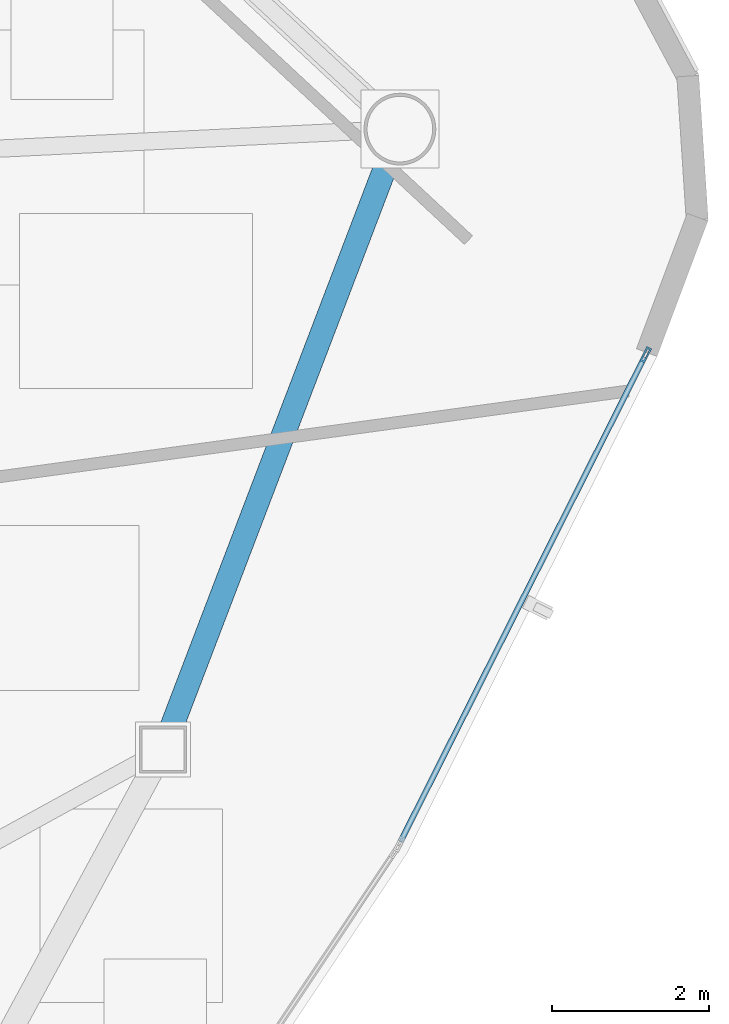
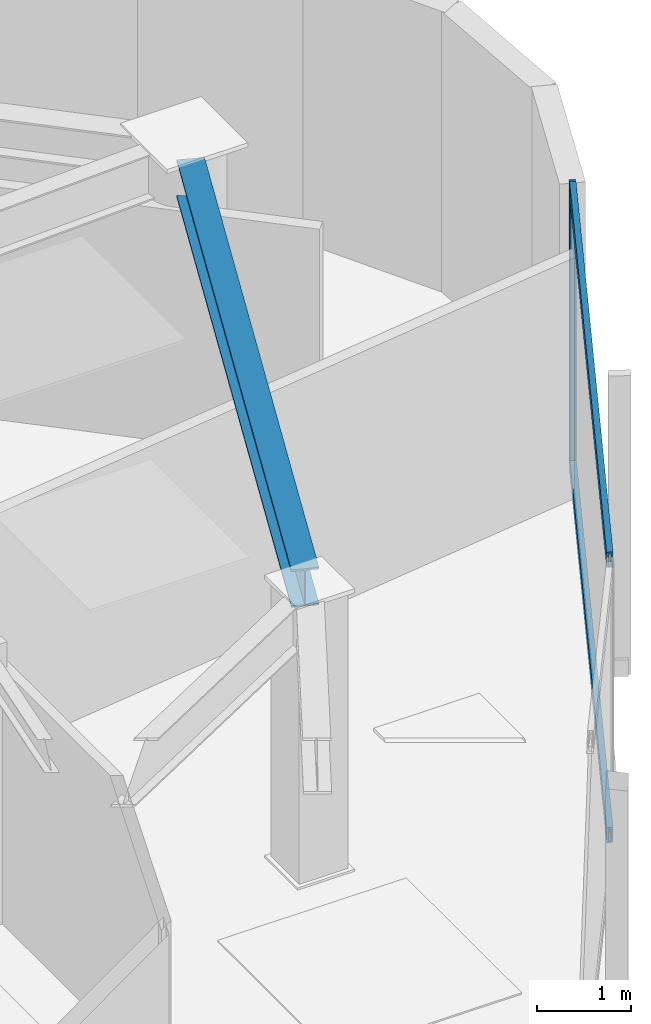
# One storey, part 5 of 14: 3 members, 1 beam, 1 element without a shape of its own.
"""IFC4 building model written with IfcOpenShell, lengths in metres."""

from ifc_helpers import new_model, si_unit, direction, frame, origin, origin_2d, place, context, subcontext, project, spatial, hollow_rectangle, i_section, extrude, source, transform, mapped, material, layer, layer_set, material_profile, profile_set, type_object, type_shapes, element, aggregate, save


model = new_model("IFC4")

# Units and contexts
model_context = context("Model", 3, precision=1e-05, world=origin(), true_north=direction((0.0, 1.0)))
body_context = subcontext(model_context, "Body", "Model", "MODEL_VIEW")
ifc_project = project(units=[si_unit("LENGTHUNIT", "METRE"), si_unit("AREAUNIT", "SQUARE_METRE"), si_unit("VOLUMEUNIT", "CUBIC_METRE"), si_unit("PLANEANGLEUNIT", "RADIAN"), si_unit("MASSUNIT", "GRAM", prefix="KILO")], contexts=[model_context])

# Site, building, storey
site_placement = place(None, origin())
site = spatial("IfcSite", under=ifc_project, at=site_placement, CompositionType="ELEMENT")
building_placement = place(site_placement, origin())
building = spatial("IfcBuilding", under=site, at=building_placement, Name="Tavelor Broadcast Tower", CompositionType="ELEMENT")
storey_placement = place(building_placement, frame((0.0, 0.0, 234.0)))
storey = spatial("IfcBuildingStorey", under=building, at=storey_placement, Name="L55", CompositionType="ELEMENT", Elevation=234.0)

# Beam
ifc_material_1 = material(Name="Steel S355", Category="steel")
ifc_material_profile_1 = material_profile(ifc_material_1, i_section(OverallWidth=0.300048828125, OverallDepth=0.489990234375, WebThickness=0.011962890625, FlangeThickness=0.02294921875, at=origin_2d()), Name="HEA 500")
ifc_profile_set_1 = profile_set([ifc_material_profile_1], Name="Steel S355")
beam_type = type_object("IfcBeamType", Name="Perimeter Spandrel Beam T5 HEA 500", PredefinedType="SPANDREL", material=ifc_profile_set_1)
beam_placement = place(storey_placement, frame((66.010009765625, 44.178466796875, 3.405029296875), z_axis=(0.356691025332, 0.934222410589, 0.0), x_axis=(-0.934222410589, 0.356691025332, 0.0)))
element("IfcBeam", 1, at=beam_placement, inside=storey, type_object=beam_type, Name="L55 Framed-Tube Ring Spandrel 12", PredefinedType="SPANDREL", context=body_context, shape_type="SweptSolid", body=[
    extrude(i_section(OverallWidth=0.300048828125, OverallDepth=0.489990234375, WebThickness=0.011962890625, FlangeThickness=0.02294921875, at=origin_2d()), origin(), (0.0, 0.0, 1.0), 7.71875),
])

# Curtain wall, members
ifc_material_2 = material(Name="Architectural Anodized Aluminium", Category="aluminium")
ifc_layer = layer(ifc_material_2, 0.199951171875)
ifc_layer_set = layer_set([ifc_layer], Name="Architectural Anodized Aluminium")
curtain_wall_type = type_object("IfcCurtainWallType", Name="Tower High-Zone Triple-Glazed Curtain Wall CW04", PredefinedType="NOTDEFINED", material=ifc_layer_set)
curtain_wall_placement = place(storey_placement, origin())
curtain_wall = element("IfcCurtainWall", 2, at=curtain_wall_placement, inside=storey, type_object=curtain_wall_type, Name="L55 Curtain Wall CW04 Run 596", PredefinedType="NOTDEFINED")
ifc_material_profile_2 = material_profile(ifc_material_2, hollow_rectangle(XDim=0.070068359375, YDim=0.199951171875, WallThickness=0.02197265625, at=origin_2d()), Name="RHS 70x200x22")
ifc_profile_set_2 = profile_set([ifc_material_profile_2], Name="Architectural Anodized Aluminium")
member_type_1 = type_object("IfcMemberType", Name="CW04 Extruded Aluminium Mullion 70x200", PredefinedType="MULLION", material=ifc_profile_set_2)
shared_shape_1 = source(origin(), body_context, "Body", "SweptSolid", [
    extrude(hollow_rectangle(XDim=0.070068359375, YDim=0.199951171875, WallThickness=0.02197265625, at=origin_2d()), origin(), (0.0, 0.0, 1.0), 3.64990234375),
])
type_shapes(member_type_1, [shared_shape_1])
member_1_placement = place(storey_placement, frame((72.045166015625, 48.9306640625, 0.0), z_axis=(0.0, 0.0, 1.0), x_axis=(-0.893184604916, 0.449690183951, 0.0)))
member_1 = element("IfcMember", 3, at=member_1_placement, type_object=member_type_1, Name="CW04 mullion 2", PredefinedType="MULLION", context=body_context, shape_type="MappedRepresentation", body=[
    mapped(shared_shape_1, transform((0.0, 0.0, 0.0), scale=1.0)),
])
ifc_material_profile_3 = material_profile(ifc_material_2, hollow_rectangle(XDim=0.070068359375, YDim=0.199951171875, WallThickness=0.02197265625, at=origin_2d()), Name="RHS 70x200x22")
ifc_profile_set_3 = profile_set([ifc_material_profile_3], Name="Architectural Anodized Aluminium")
member_type_2 = type_object("IfcMemberType", Name="CW04 Extruded Aluminium Transom 70x200", PredefinedType="USERDEFINED", material=ifc_profile_set_3)
shared_shape_2 = source(origin(), body_context, "Body", "SweptSolid", [
    extrude(hollow_rectangle(XDim=0.070068359375, YDim=0.199951171875, WallThickness=0.02197265625, at=origin_2d()), origin(), (0.0, 0.0, 1.0), 6.897216796875),
])
type_shapes(member_type_2, [shared_shape_2])
member_2_placement = place(storey_placement, frame((68.927978515625, 42.739013671875, 0.034912109375), z_axis=(0.449689703671, 0.893184846721, 0.0), x_axis=(-0.893184846721, 0.449689703671, 0.0)))
member_2 = element("IfcMember", 4, at=member_2_placement, type_object=member_type_2, Name="CW04 transom 1.1", ObjectType="TRANSOM", PredefinedType="USERDEFINED", context=body_context, shape_type="MappedRepresentation", body=[
    mapped(shared_shape_2, transform((0.0, 0.0, 0.0), scale=1.0)),
])
member_3_placement = place(storey_placement, frame((68.927978515625, 42.739013671875, 3.614990234375), z_axis=(0.449689703671, 0.893184846721, 0.0), x_axis=(-0.893184846721, 0.449689703671, 0.0)))
member_3 = element("IfcMember", 5, at=member_3_placement, type_object=member_type_2, Name="CW04 transom 1.2", ObjectType="TRANSOM", PredefinedType="USERDEFINED", context=body_context, shape_type="MappedRepresentation", body=[
    mapped(shared_shape_2, transform((0.0, 0.0, 0.0), scale=1.0)),
])
aggregate(curtain_wall, [member_1, member_2, member_3])

save(model, "model.ifc")
